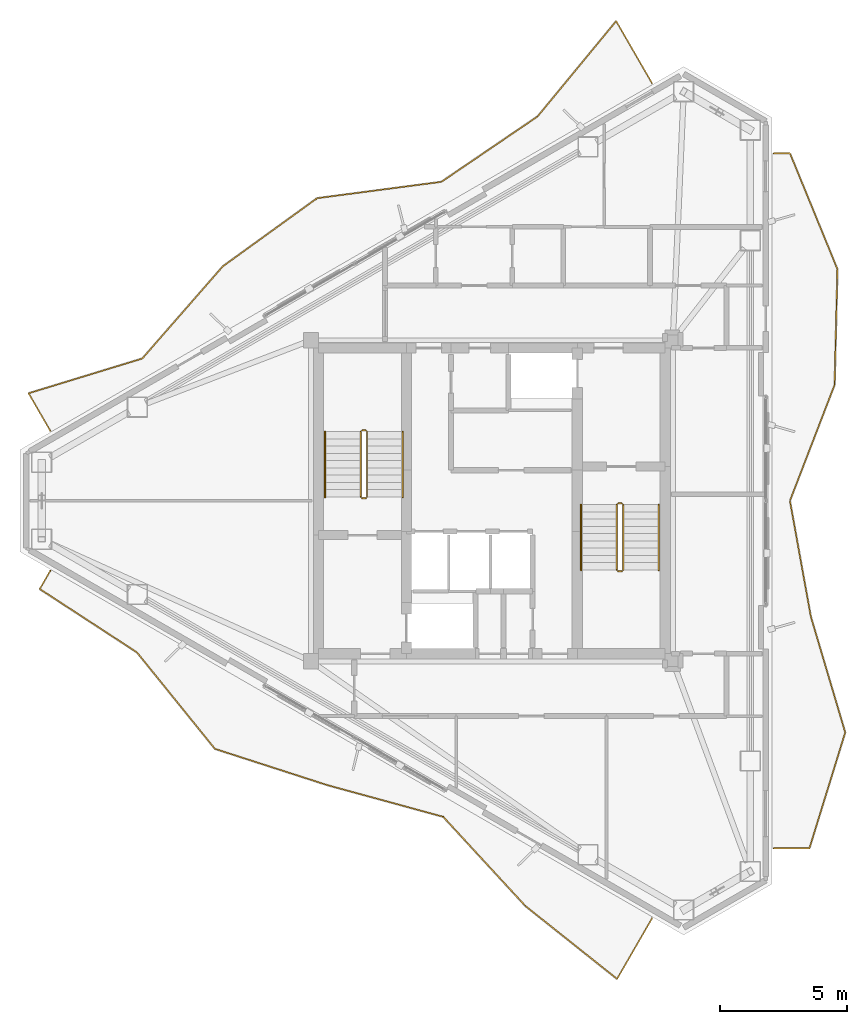
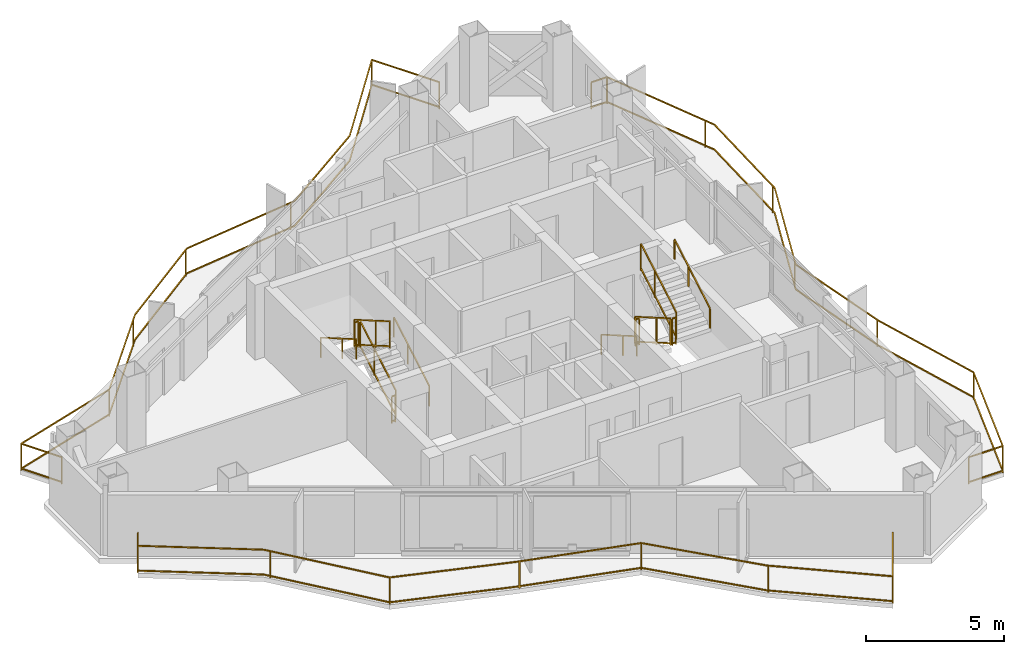
# One storey, part 18 of 18: 15 railings.
"""IFC4 building model written with IfcOpenShell, lengths in metres."""

from ifc_helpers import new_model, si_unit, direction, frame, origin, origin_2d, place, context, subcontext, project, spatial, rectangle, extrude, material, type_object, element, save


model = new_model("IFC4")

# Units and contexts
model_context = context("Model", 3, precision=1e-05, world=origin(), true_north=direction((0.0, 1.0)))
body_context = subcontext(model_context, "Body", "Model", "MODEL_VIEW")
ifc_project = project(units=[si_unit("LENGTHUNIT", "METRE"), si_unit("AREAUNIT", "SQUARE_METRE"), si_unit("VOLUMEUNIT", "CUBIC_METRE"), si_unit("PLANEANGLEUNIT", "RADIAN"), si_unit("MASSUNIT", "GRAM", prefix="KILO")], contexts=[model_context])

# Site, building, storey
site_placement = place(None, origin())
site = spatial("IfcSite", under=ifc_project, at=site_placement, CompositionType="ELEMENT")
building_placement = place(site_placement, origin())
building = spatial("IfcBuilding", under=site, at=building_placement, Name="Mersakhor Tower and Convention Hall", CompositionType="ELEMENT")
storey_placement = place(building_placement, frame((0.0, 0.0, 243.0)))
storey = spatial("IfcBuildingStorey", under=building, at=storey_placement, Name="L68", CompositionType="ELEMENT", Elevation=243.0)

# Railings
ifc_material_1 = material(Name="Powder-coated galvanised steel and laminated glass balustrade", Category="steel")
railing_type_1 = type_object("IfcRailingType", Name="RL-BAL-1200", PredefinedType="BALUSTRADE", material=ifc_material_1)
railing_1_placement = place(storey_placement, frame((35.287841796875, 43.13134765625, 0.0)))
element("IfcRailing", 1, at=railing_1_placement, inside=storey, type_object=railing_type_1, Name="L68 Sinusoidal Balcony Balustrade F1", PredefinedType="BALUSTRADE", context=body_context, shape_type="SweptSolid", body=[
    extrude(rectangle(XDim=0.048095703125, YDim=0.048095703125, at=origin_2d()), frame((0.0, 0.0, 1.17578125), z_axis=(-0.500049687543, 0.865996714767, 0.0), x_axis=(-0.865996714767, -0.500049687543, 0.0)), (0.0, 0.0, 1.0), 2.820068359375),
    extrude(rectangle(XDim=0.048095703125, YDim=0.048095703125, at=origin_2d()), frame((0.0, 0.0, 0.080078125), z_axis=(-0.500049687543, 0.865996714767, 0.0), x_axis=(-0.865996714767, -0.500049687543, 0.0)), (0.0, 0.0, 1.0), 2.820068359375),
    extrude(rectangle(XDim=0.048095703125, YDim=0.048095703125, at=origin_2d()), frame((-1.41015625, 2.442138671875, 1.17578125), z_axis=(-0.635973496981, -0.771710898678, 0.0), x_axis=(0.771710898678, -0.635973496981, 0.0)), (0.0, 0.0, 1.0), 4.852783203125),
    extrude(rectangle(XDim=0.048095703125, YDim=0.048095703125, at=origin_2d()), frame((-1.41015625, 2.442138671875, 0.080078125), z_axis=(-0.635973496981, -0.771710898678, 0.0), x_axis=(0.771710898678, -0.635973496981, 0.0)), (0.0, 0.0, 1.0), 4.852783203125),
    extrude(rectangle(XDim=0.048095703125, YDim=0.048095703125, at=origin_2d()), frame((-4.496337890625, -1.302734375, 1.17578125), z_axis=(-0.827039072438, -0.562144441101, 0.0), x_axis=(0.562144441101, -0.827039072438, 0.0)), (0.0, 0.0, 1.0), 4.5576171875),
    extrude(rectangle(XDim=0.048095703125, YDim=0.048095703125, at=origin_2d()), frame((-4.496337890625, -1.302734375, 0.080078125), z_axis=(-0.827039072438, -0.562144441101, 0.0), x_axis=(0.562144441101, -0.827039072438, 0.0)), (0.0, 0.0, 1.0), 4.5576171875),
    extrude(rectangle(XDim=0.048095703125, YDim=0.048095703125, at=origin_2d()), frame((-8.265625, -3.86474609375, 1.17578125), z_axis=(-0.991447538325, -0.130505857147, 0.0), x_axis=(0.130505857147, -0.991447538325, 0.0)), (0.0, 0.0, 1.0), 4.919921875),
    extrude(rectangle(XDim=0.048095703125, YDim=0.048095703125, at=origin_2d()), frame((-8.265625, -3.86474609375, 0.080078125), z_axis=(-0.991447538325, -0.130505857147, 0.0), x_axis=(0.130505857147, -0.991447538325, 0.0)), (0.0, 0.0, 1.0), 4.919921875),
    extrude(rectangle(XDim=0.048095703125, YDim=0.048095703125, at=origin_2d()), frame((-13.1435546875, -4.5068359375, 1.17578125), z_axis=(-0.810511528913, -0.5857226831, 0.0), x_axis=(0.5857226831, -0.810511528913, 0.0)), (0.0, 0.0, 1.0), 4.569091796875),
    extrude(rectangle(XDim=0.048095703125, YDim=0.048095703125, at=origin_2d()), frame((-13.1435546875, -4.5068359375, 0.080078125), z_axis=(-0.810511528913, -0.5857226831, 0.0), x_axis=(0.5857226831, -0.810511528913, 0.0)), (0.0, 0.0, 1.0), 4.569091796875),
    extrude(rectangle(XDim=0.048095703125, YDim=0.048095703125, at=origin_2d()), frame((-16.846923828125, -7.18310546875, 1.17578125), z_axis=(-0.657903470981, -0.753102265878, 0.0), x_axis=(0.753102265878, -0.657903470981, 0.0)), (0.0, 0.0, 1.0), 4.803466796875),
    extrude(rectangle(XDim=0.048095703125, YDim=0.048095703125, at=origin_2d()), frame((-16.846923828125, -7.18310546875, 0.080078125), z_axis=(-0.657903470981, -0.753102265878, 0.0), x_axis=(0.753102265878, -0.657903470981, 0.0)), (0.0, 0.0, 1.0), 4.803466796875),
    extrude(rectangle(XDim=0.048095703125, YDim=0.048095703125, at=origin_2d()), frame((-20.007080078125, -10.800537109375, 1.17578125), z_axis=(-0.956347508351, -0.29223183138, 0.0), x_axis=(0.29223183138, -0.956347508351, 0.0)), (0.0, 0.0, 1.0), 4.6650390625),
    extrude(rectangle(XDim=0.048095703125, YDim=0.048095703125, at=origin_2d()), frame((-20.007080078125, -10.800537109375, 0.080078125), z_axis=(-0.956347508351, -0.29223183138, 0.0), x_axis=(0.29223183138, -0.956347508351, 0.0)), (0.0, 0.0, 1.0), 4.6650390625),
    extrude(rectangle(XDim=0.048095703125, YDim=0.048095703125, at=origin_2d()), frame((-24.468505859375, -12.163818359375, 1.17578125), z_axis=(0.500062241894, -0.865989465428, 0.0), x_axis=(0.865989465428, 0.500062241894, 0.0)), (0.0, 0.0, 1.0), 1.699951171875),
    extrude(rectangle(XDim=0.048095703125, YDim=0.048095703125, at=origin_2d()), frame((-24.468505859375, -12.163818359375, 0.080078125), z_axis=(0.500062241894, -0.865989465428, 0.0), x_axis=(0.865989465428, 0.500062241894, 0.0)), (0.0, 0.0, 1.0), 1.699951171875),
    extrude(rectangle(XDim=0.0419921875, YDim=0.0419921875, at=origin_2d()), origin(), (0.0, 0.0, 1.0), 1.15185546875),
    extrude(rectangle(XDim=0.0419921875, YDim=0.0419921875, at=origin_2d()), frame((-1.41015625, 2.442138671875, 0.0)), (0.0, 0.0, 1.0), 1.15185546875),
    extrude(rectangle(XDim=0.0419921875, YDim=0.0419921875, at=origin_2d()), frame((-8.453857421875, -3.889404296875, 0.0)), (0.0, 0.0, 1.0), 1.15185546875),
    extrude(rectangle(XDim=0.0419921875, YDim=0.0419921875, at=origin_2d()), frame((-13.2001953125, -4.547607421875, 0.0)), (0.0, 0.0, 1.0), 1.15185546875),
    extrude(rectangle(XDim=0.0419921875, YDim=0.0419921875, at=origin_2d()), frame((-17.044677734375, -7.409423828125, 0.0)), (0.0, 0.0, 1.0), 1.15185546875),
    extrude(rectangle(XDim=0.0419921875, YDim=0.0419921875, at=origin_2d()), frame((-20.007080078125, -10.800537109375, 0.0)), (0.0, 0.0, 1.0), 1.15185546875),
    extrude(rectangle(XDim=0.0419921875, YDim=0.0419921875, at=origin_2d()), frame((-24.468505859375, -12.163818359375, 0.0)), (0.0, 0.0, 1.0), 1.15185546875),
    extrude(rectangle(XDim=0.0419921875, YDim=0.0419921875, at=origin_2d()), frame((-23.618408203125, -13.635986328125, 0.0)), (0.0, 0.0, 1.0), 1.15185546875),
])
railing_2_placement = place(storey_placement, frame((40.042724609375, 13.114013671875, 0.0)))
element("IfcRailing", 2, at=railing_2_placement, inside=storey, type_object=railing_type_1, Name="L68 Sinusoidal Balcony Balustrade F2", PredefinedType="BALUSTRADE", context=body_context, shape_type="SweptSolid", body=[
    extrude(rectangle(XDim=0.048095703125, YDim=0.048095703125, at=origin_2d()), frame((0.0, 0.0, 1.17578125), z_axis=(1.0, 0.0, 0.0), x_axis=(0.0, 1.0, 0.0)), (0.0, 0.0, 1.0), 1.4150390625),
    extrude(rectangle(XDim=0.048095703125, YDim=0.048095703125, at=origin_2d()), frame((0.0, 0.0, 0.080078125), z_axis=(1.0, 0.0, 0.0), x_axis=(0.0, 1.0, 0.0)), (0.0, 0.0, 1.0), 1.4150390625),
    extrude(rectangle(XDim=0.048095703125, YDim=0.048095703125, at=origin_2d()), frame((1.4150390625, 0.0, 1.17578125), z_axis=(0.295336931613, 0.955393163481, 0.0), x_axis=(-0.955393163481, 0.295336931613, 0.0)), (0.0, 0.0, 1.0), 4.75732421875),
    extrude(rectangle(XDim=0.048095703125, YDim=0.048095703125, at=origin_2d()), frame((1.4150390625, 0.0, 0.080078125), z_axis=(0.295336931613, 0.955393163481, 0.0), x_axis=(-0.955393163481, 0.295336931613, 0.0)), (0.0, 0.0, 1.0), 4.75732421875),
    extrude(rectangle(XDim=0.048095703125, YDim=0.048095703125, at=origin_2d()), frame((2.820068359375, 4.545166015625, 1.17578125), z_axis=(-0.284540615869, 0.958663985931, 0.0), x_axis=(-0.958663985931, -0.284540615869, 0.0)), (0.0, 0.0, 1.0), 4.741455078125),
    extrude(rectangle(XDim=0.048095703125, YDim=0.048095703125, at=origin_2d()), frame((2.820068359375, 4.545166015625, 0.080078125), z_axis=(-0.284540615869, 0.958663985931, 0.0), x_axis=(-0.958663985931, -0.284540615869, 0.0)), (0.0, 0.0, 1.0), 4.741455078125),
    extrude(rectangle(XDim=0.048095703125, YDim=0.048095703125, at=origin_2d()), frame((1.470947265625, 9.090576171875, 1.17578125), z_axis=(-0.177703858706, 0.984084009931, 0.0), x_axis=(-0.984084009931, -0.177703858706, 0.0)), (0.0, 0.0, 1.0), 4.618896484375),
    extrude(rectangle(XDim=0.048095703125, YDim=0.048095703125, at=origin_2d()), frame((1.470947265625, 9.090576171875, 0.080078125), z_axis=(-0.177703858706, 0.984084009931, 0.0), x_axis=(-0.984084009931, -0.177703858706, 0.0)), (0.0, 0.0, 1.0), 4.618896484375),
    extrude(rectangle(XDim=0.048095703125, YDim=0.048095703125, at=origin_2d()), frame((0.650146484375, 13.635986328125, 1.17578125), z_axis=(0.359600314297, 0.933106432277, 0.0), x_axis=(-0.933106432277, 0.359600314297, 0.0)), (0.0, 0.0, 1.0), 4.871337890625),
    extrude(rectangle(XDim=0.048095703125, YDim=0.048095703125, at=origin_2d()), frame((0.650146484375, 13.635986328125, 0.080078125), z_axis=(0.359600314297, 0.933106432277, 0.0), x_axis=(-0.933106432277, 0.359600314297, 0.0)), (0.0, 0.0, 1.0), 4.871337890625),
    extrude(rectangle(XDim=0.048095703125, YDim=0.048095703125, at=origin_2d()), frame((2.40185546875, 18.181396484375, 1.17578125), z_axis=(0.02464607229, 0.999696239425, 0.0), x_axis=(-0.999696239425, 0.02464607229, 0.0)), (0.0, 0.0, 1.0), 4.546875),
    extrude(rectangle(XDim=0.048095703125, YDim=0.048095703125, at=origin_2d()), frame((2.40185546875, 18.181396484375, 0.080078125), z_axis=(0.02464607229, 0.999696239425, 0.0), x_axis=(-0.999696239425, 0.02464607229, 0.0)), (0.0, 0.0, 1.0), 4.546875),
    extrude(rectangle(XDim=0.048095703125, YDim=0.048095703125, at=origin_2d()), frame((2.513916015625, 22.726806640625, 1.17578125), z_axis=(-0.379056669193, 0.925373460577, 0.0), x_axis=(-0.925373460577, -0.379056669193, 0.0)), (0.0, 0.0, 1.0), 4.91162109375),
    extrude(rectangle(XDim=0.048095703125, YDim=0.048095703125, at=origin_2d()), frame((2.513916015625, 22.726806640625, 0.080078125), z_axis=(-0.379056669193, 0.925373460577, 0.0), x_axis=(-0.925373460577, -0.379056669193, 0.0)), (0.0, 0.0, 1.0), 4.91162109375),
    extrude(rectangle(XDim=0.048095703125, YDim=0.048095703125, at=origin_2d()), frame((0.652099609375, 27.27197265625, 1.17578125), z_axis=(-1.0, 0.0, 0.0), x_axis=(0.0, -1.0, 0.0)), (0.0, 0.0, 1.0), 0.652099609375),
    extrude(rectangle(XDim=0.048095703125, YDim=0.048095703125, at=origin_2d()), frame((0.652099609375, 27.27197265625, 0.080078125), z_axis=(-1.0, 0.0, 0.0), x_axis=(0.0, -1.0, 0.0)), (0.0, 0.0, 1.0), 0.652099609375),
    extrude(rectangle(XDim=0.0419921875, YDim=0.0419921875, at=origin_2d()), origin(), (0.0, 0.0, 1.0), 1.15185546875),
    extrude(rectangle(XDim=0.0419921875, YDim=0.0419921875, at=origin_2d()), frame((1.4150390625, 0.0, 0.0)), (0.0, 0.0, 1.0), 1.15185546875),
    extrude(rectangle(XDim=0.0419921875, YDim=0.0419921875, at=origin_2d()), frame((2.820068359375, 4.545166015625, 0.0)), (0.0, 0.0, 1.0), 1.15185546875),
    extrude(rectangle(XDim=0.0419921875, YDim=0.0419921875, at=origin_2d()), frame((1.46044921875, 9.148193359375, 0.0)), (0.0, 0.0, 1.0), 1.15185546875),
    extrude(rectangle(XDim=0.0419921875, YDim=0.0419921875, at=origin_2d()), frame((0.736328125, 13.859619140625, 0.0)), (0.0, 0.0, 1.0), 1.15185546875),
    extrude(rectangle(XDim=0.0419921875, YDim=0.0419921875, at=origin_2d()), frame((2.406005859375, 18.349853515625, 0.0)), (0.0, 0.0, 1.0), 1.15185546875),
    extrude(rectangle(XDim=0.0419921875, YDim=0.0419921875, at=origin_2d()), frame((2.35400390625, 23.116943359375, 0.0)), (0.0, 0.0, 1.0), 1.15185546875),
    extrude(rectangle(XDim=0.0419921875, YDim=0.0419921875, at=origin_2d()), frame((0.652099609375, 27.27197265625, 0.0)), (0.0, 0.0, 1.0), 1.15185546875),
    extrude(rectangle(XDim=0.0419921875, YDim=0.0419921875, at=origin_2d()), frame((0.0, 27.27197265625, 0.0)), (0.0, 0.0, 1.0), 1.15185546875),
])
railing_3_placement = place(storey_placement, frame((11.66943359375, 24.004638671875, 0.0)))
element("IfcRailing", 3, at=railing_3_placement, inside=storey, type_object=railing_type_1, Name="L68 Sinusoidal Balcony Balustrade F3", PredefinedType="BALUSTRADE", context=body_context, shape_type="SweptSolid", body=[
    extrude(rectangle(XDim=0.048095703125, YDim=0.048095703125, at=origin_2d()), frame((0.0, 0.0, 1.17578125), z_axis=(-0.500090023092, -0.865973422689, 0.0), x_axis=(0.865973422689, -0.500090023092, 0.0)), (0.0, 0.0, 1.0), 0.823974609375),
    extrude(rectangle(XDim=0.048095703125, YDim=0.048095703125, at=origin_2d()), frame((0.0, 0.0, 0.080078125), z_axis=(-0.500090023092, -0.865973422689, 0.0), x_axis=(0.865973422689, -0.500090023092, 0.0)), (0.0, 0.0, 1.0), 0.823974609375),
    extrude(rectangle(XDim=0.048095703125, YDim=0.048095703125, at=origin_2d()), frame((-0.412109375, -0.713623046875, 1.17578125), z_axis=(0.837691677084, -0.546143437336, 0.0), x_axis=(0.546143437336, 0.837691677084, 0.0)), (0.0, 0.0, 1.0), 4.552001953125),
    extrude(rectangle(XDim=0.048095703125, YDim=0.048095703125, at=origin_2d()), frame((-0.412109375, -0.713623046875, 0.080078125), z_axis=(0.837691677084, -0.546143437336, 0.0), x_axis=(0.546143437336, 0.837691677084, 0.0)), (0.0, 0.0, 1.0), 4.552001953125),
    extrude(rectangle(XDim=0.048095703125, YDim=0.048095703125, at=origin_2d()), frame((3.401123046875, -3.19970703125, 1.17578125), z_axis=(0.628599601502, -0.777729092289, 0.0), x_axis=(0.777729092289, 0.628599601502, 0.0)), (0.0, 0.0, 1.0), 4.870361328125),
    extrude(rectangle(XDim=0.048095703125, YDim=0.048095703125, at=origin_2d()), frame((3.401123046875, -3.19970703125, 0.080078125), z_axis=(0.628599601502, -0.777729092289, 0.0), x_axis=(0.777729092289, 0.628599601502, 0.0)), (0.0, 0.0, 1.0), 4.870361328125),
    extrude(rectangle(XDim=0.048095703125, YDim=0.048095703125, at=origin_2d()), frame((6.462646484375, -6.987548828125, 1.17578125), z_axis=(0.951730887155, -0.306933736229, 0.0), x_axis=(0.306933736229, 0.951730887155, 0.0)), (0.0, 0.0, 1.0), 4.649169921875),
    extrude(rectangle(XDim=0.048095703125, YDim=0.048095703125, at=origin_2d()), frame((6.462646484375, -6.987548828125, 0.080078125), z_axis=(0.951730887155, -0.306933736229, 0.0), x_axis=(0.306933736229, 0.951730887155, 0.0)), (0.0, 0.0, 1.0), 4.649169921875),
    extrude(rectangle(XDim=0.048095703125, YDim=0.048095703125, at=origin_2d()), frame((10.887451171875, -8.41455078125, 1.17578125), z_axis=(0.964618612575, -0.263649259954, 0.0), x_axis=(0.263649259954, 0.964618612575, 0.0)), (0.0, 0.0, 1.0), 4.699462890625),
    extrude(rectangle(XDim=0.048095703125, YDim=0.048095703125, at=origin_2d()), frame((10.887451171875, -8.41455078125, 0.080078125), z_axis=(0.964618612575, -0.263649259954, 0.0), x_axis=(0.263649259954, 0.964618612575, 0.0)), (0.0, 0.0, 1.0), 4.699462890625),
    extrude(rectangle(XDim=0.048095703125, YDim=0.048095703125, at=origin_2d()), frame((15.420654296875, -9.653564453125, 1.17578125), z_axis=(0.677730486129, -0.7353104026, 0.0), x_axis=(0.7353104026, 0.677730486129, 0.0)), (0.0, 0.0, 1.0), 4.761474609375),
    extrude(rectangle(XDim=0.048095703125, YDim=0.048095703125, at=origin_2d()), frame((15.420654296875, -9.653564453125, 0.080078125), z_axis=(0.677730486129, -0.7353104026, 0.0), x_axis=(0.7353104026, 0.677730486129, 0.0)), (0.0, 0.0, 1.0), 4.761474609375),
    extrude(rectangle(XDim=0.048095703125, YDim=0.048095703125, at=origin_2d()), frame((18.647705078125, -13.15478515625, 1.17578125), z_axis=(0.782617523744, -0.622502860659, 0.0), x_axis=(0.622502860659, 0.782617523744, 0.0)), (0.0, 0.0, 1.0), 4.595703125),
    extrude(rectangle(XDim=0.048095703125, YDim=0.048095703125, at=origin_2d()), frame((18.647705078125, -13.15478515625, 0.080078125), z_axis=(0.782617523744, -0.622502860659, 0.0), x_axis=(0.622502860659, 0.782617523744, 0.0)), (0.0, 0.0, 1.0), 4.595703125),
    extrude(rectangle(XDim=0.048095703125, YDim=0.048095703125, at=origin_2d()), frame((22.244384765625, -16.015625, 1.17578125), z_axis=(0.500037777312, 0.866003591944, 0.0), x_axis=(-0.866003591944, 0.500037777312, 0.0)), (0.0, 0.0, 1.0), 2.747802734375),
    extrude(rectangle(XDim=0.048095703125, YDim=0.048095703125, at=origin_2d()), frame((22.244384765625, -16.015625, 0.080078125), z_axis=(0.500037777312, 0.866003591944, 0.0), x_axis=(-0.866003591944, 0.500037777312, 0.0)), (0.0, 0.0, 1.0), 2.747802734375),
    extrude(rectangle(XDim=0.0419921875, YDim=0.0419921875, at=origin_2d()), origin(), (0.0, 0.0, 1.0), 1.15185546875),
    extrude(rectangle(XDim=0.0419921875, YDim=0.0419921875, at=origin_2d()), frame((-0.412109375, -0.713623046875, 0.0)), (0.0, 0.0, 1.0), 1.15185546875),
    extrude(rectangle(XDim=0.0419921875, YDim=0.0419921875, at=origin_2d()), frame((3.556884765625, -3.392578125, 0.0)), (0.0, 0.0, 1.0), 1.15185546875),
    extrude(rectangle(XDim=0.0419921875, YDim=0.0419921875, at=origin_2d()), frame((6.462646484375, -6.987548828125, 0.0)), (0.0, 0.0, 1.0), 1.15185546875),
    extrude(rectangle(XDim=0.0419921875, YDim=0.0419921875, at=origin_2d()), frame((11.032958984375, -8.454345703125, 0.0)), (0.0, 0.0, 1.0), 1.15185546875),
    extrude(rectangle(XDim=0.0419921875, YDim=0.0419921875, at=origin_2d()), frame((15.420654296875, -9.653564453125, 0.0)), (0.0, 0.0, 1.0), 1.15185546875),
    extrude(rectangle(XDim=0.0419921875, YDim=0.0419921875, at=origin_2d()), frame((18.677734375, -13.1787109375, 0.0)), (0.0, 0.0, 1.0), 1.15185546875),
    extrude(rectangle(XDim=0.0419921875, YDim=0.0419921875, at=origin_2d()), frame((22.244384765625, -16.015625, 0.0)), (0.0, 0.0, 1.0), 1.15185546875),
    extrude(rectangle(XDim=0.0419921875, YDim=0.0419921875, at=origin_2d()), frame((23.618408203125, -13.635986328125, 0.0)), (0.0, 0.0, 1.0), 1.15185546875),
])
ifc_material_2 = material(Name="Brushed stainless steel handrail", Category="steel")
railing_type_2 = type_object("IfcRailingType", Name="RL-HR-900", PredefinedType="HANDRAIL", material=ifc_material_2)
railing_4_placement = place(storey_placement, frame((25.5, 26.89990234375, 0.1650390625)))
element("IfcRailing", 4, at=railing_4_placement, inside=storey, type_object=railing_type_2, Name="L68 ST-1 stair handrail 1", PredefinedType="HANDRAIL", context=body_context, shape_type="SweptSolid", body=[
    extrude(rectangle(XDim=0.048095703125, YDim=0.048095703125, at=origin_2d()), frame((0.0, 0.0, 0.8759765625), z_axis=(0.0, 0.865461999751, 0.500974577186), x_axis=(-1.0, 0.0, 0.0)), (0.0, 0.0, 1.0), 2.9638671875),
    extrude(rectangle(XDim=0.0419921875, YDim=0.0419921875, at=origin_2d()), origin(), (0.0, 0.0, 1.0), 0.851806640625),
    extrude(rectangle(XDim=0.0419921875, YDim=0.0419921875, at=origin_2d()), frame((0.0, 1.557861328125, 0.90185546875)), (0.0, 0.0, 1.0), 0.851806640625),
    extrude(rectangle(XDim=0.0419921875, YDim=0.0419921875, at=origin_2d()), frame((0.0, 2.565185546875, 1.48486328125)), (0.0, 0.0, 1.0), 0.851806640625),
])
railing_5_placement = place(storey_placement, frame((22.449951171875, 29.465087890625, 1.81494140625)))
element("IfcRailing", 5, at=railing_5_placement, inside=storey, type_object=railing_type_2, Name="L68 ST-1 stair handrail 2", PredefinedType="HANDRAIL", context=body_context, shape_type="SweptSolid", body=[
    extrude(rectangle(XDim=0.048095703125, YDim=0.048095703125, at=origin_2d()), frame((0.0, 0.0, 0.8759765625), z_axis=(0.0, -0.865426285481, 0.501036270542), x_axis=(1.0, 0.0, 0.0)), (0.0, 0.0, 1.0), 2.964111328125),
    extrude(rectangle(XDim=0.0419921875, YDim=0.0419921875, at=origin_2d()), origin(), (0.0, 0.0, 1.0), 0.851806640625),
    extrude(rectangle(XDim=0.0419921875, YDim=0.0419921875, at=origin_2d()), frame((0.0, -1.557861328125, 0.90185546875)), (0.0, 0.0, 1.0), 0.851806640625),
    extrude(rectangle(XDim=0.0419921875, YDim=0.0419921875, at=origin_2d()), frame((0.0, -2.565185546875, 1.485107421875)), (0.0, 0.0, 1.0), 0.851806640625),
])
railing_6_placement = place(storey_placement, frame((32.5, 26.60009765625, 0.1650390625)))
element("IfcRailing", 6, at=railing_6_placement, inside=storey, type_object=railing_type_2, Name="L68 ST-2 stair handrail 1", PredefinedType="HANDRAIL", context=body_context, shape_type="SweptSolid", body=[
    extrude(rectangle(XDim=0.048095703125, YDim=0.048095703125, at=origin_2d()), frame((0.0, 0.0, 0.8759765625), z_axis=(0.0, -0.865461999751, 0.500974577186), x_axis=(1.0, 0.0, 0.0)), (0.0, 0.0, 1.0), 2.9638671875),
    extrude(rectangle(XDim=0.0419921875, YDim=0.0419921875, at=origin_2d()), origin(), (0.0, 0.0, 1.0), 0.851806640625),
    extrude(rectangle(XDim=0.0419921875, YDim=0.0419921875, at=origin_2d()), frame((0.0, -1.557861328125, 0.90185546875)), (0.0, 0.0, 1.0), 0.851806640625),
    extrude(rectangle(XDim=0.0419921875, YDim=0.0419921875, at=origin_2d()), frame((0.0, -2.565185546875, 1.48486328125)), (0.0, 0.0, 1.0), 0.851806640625),
])
railing_7_placement = place(storey_placement, frame((35.550048828125, 24.034912109375, 1.81494140625)))
element("IfcRailing", 7, at=railing_7_placement, inside=storey, type_object=railing_type_2, Name="L68 ST-2 stair handrail 2", PredefinedType="HANDRAIL", context=body_context, shape_type="SweptSolid", body=[
    extrude(rectangle(XDim=0.048095703125, YDim=0.048095703125, at=origin_2d()), frame((0.0, 0.0, 0.8759765625), z_axis=(0.0, 0.865426285481, 0.501036270542), x_axis=(-1.0, 0.0, 0.0)), (0.0, 0.0, 1.0), 2.964111328125),
    extrude(rectangle(XDim=0.0419921875, YDim=0.0419921875, at=origin_2d()), origin(), (0.0, 0.0, 1.0), 0.851806640625),
    extrude(rectangle(XDim=0.0419921875, YDim=0.0419921875, at=origin_2d()), frame((0.0, 1.557861328125, 0.90185546875)), (0.0, 0.0, 1.0), 0.851806640625),
    extrude(rectangle(XDim=0.0419921875, YDim=0.0419921875, at=origin_2d()), frame((0.0, 2.565185546875, 1.485107421875)), (0.0, 0.0, 1.0), 0.851806640625),
])
ifc_material_3 = material(Name="Painted steel stair balustrade S355", Category="steel")
railing_type_3 = type_object("IfcRailingType", Name="RL-STG-1200", PredefinedType="BALUSTRADE", material=ifc_material_3)
railing_8_placement = place(storey_placement, frame((24.10009765625, 26.89990234375, 0.1650390625)))
element("IfcRailing", 8, at=railing_8_placement, inside=storey, type_object=railing_type_3, Name="L68 ST-1 stair guard 1", PredefinedType="BALUSTRADE", context=body_context, shape_type="SweptSolid", body=[
    extrude(rectangle(XDim=0.048095703125, YDim=0.048095703125, at=origin_2d()), frame((0.0, 0.0, 1.17578125), z_axis=(0.0, 0.865461999751, 0.500974577186), x_axis=(-1.0, 0.0, 0.0)), (0.0, 0.0, 1.0), 2.9638671875),
    extrude(rectangle(XDim=0.048095703125, YDim=0.048095703125, at=origin_2d()), frame((0.0, 0.0, 0.080078125), z_axis=(0.0, 0.865461999751, 0.500974577186), x_axis=(-1.0, 0.0, 0.0)), (0.0, 0.0, 1.0), 2.9638671875),
    extrude(rectangle(XDim=0.0419921875, YDim=0.0419921875, at=origin_2d()), origin(), (0.0, 0.0, 1.0), 1.15185546875),
    extrude(rectangle(XDim=0.0419921875, YDim=0.0419921875, at=origin_2d()), frame((0.0, 1.557861328125, 0.90185546875)), (0.0, 0.0, 1.0), 1.15185546875),
    extrude(rectangle(XDim=0.0419921875, YDim=0.0419921875, at=origin_2d()), frame((0.0, 2.565185546875, 1.48486328125)), (0.0, 0.0, 1.0), 1.15185546875),
])
railing_9_placement = place(storey_placement, frame((24.050048828125, 29.514892578125, 1.64990234375)))
element("IfcRailing", 9, at=railing_9_placement, inside=storey, type_object=railing_type_3, Name="L68 ST-1 stair guard 2", PredefinedType="BALUSTRADE", context=body_context, shape_type="SweptSolid", body=[
    extrude(rectangle(XDim=0.048095703125, YDim=0.048095703125, at=origin_2d()), frame((0.0, 0.0, 1.17578125), z_axis=(-1.0, 0.0, 0.0), x_axis=(0.0, -1.0, 0.0)), (0.0, 0.0, 1.0), 0.150146484375),
    extrude(rectangle(XDim=0.048095703125, YDim=0.048095703125, at=origin_2d()), frame((0.0, 0.0, 0.080078125), z_axis=(-1.0, 0.0, 0.0), x_axis=(0.0, -1.0, 0.0)), (0.0, 0.0, 1.0), 0.150146484375),
    extrude(rectangle(XDim=0.0419921875, YDim=0.0419921875, at=origin_2d()), origin(), (0.0, 0.0, 1.0), 1.15185546875),
    extrude(rectangle(XDim=0.0419921875, YDim=0.0419921875, at=origin_2d()), frame((-0.150146484375, 0.0, 0.0)), (0.0, 0.0, 1.0), 1.15185546875),
])
railing_10_placement = place(storey_placement, frame((23.85009765625, 29.465087890625, 1.81494140625)))
element("IfcRailing", 10, at=railing_10_placement, inside=storey, type_object=railing_type_3, Name="L68 ST-1 stair guard 3", PredefinedType="BALUSTRADE", context=body_context, shape_type="SweptSolid", body=[
    extrude(rectangle(XDim=0.048095703125, YDim=0.048095703125, at=origin_2d()), frame((0.0, 0.0, 1.17578125), z_axis=(0.0, -0.865426285481, 0.501036270542), x_axis=(1.0, 0.0, 0.0)), (0.0, 0.0, 1.0), 2.964111328125),
    extrude(rectangle(XDim=0.048095703125, YDim=0.048095703125, at=origin_2d()), frame((0.0, 0.0, 0.080078125), z_axis=(0.0, -0.865426285481, 0.501036270542), x_axis=(1.0, 0.0, 0.0)), (0.0, 0.0, 1.0), 2.964111328125),
    extrude(rectangle(XDim=0.0419921875, YDim=0.0419921875, at=origin_2d()), origin(), (0.0, 0.0, 1.0), 1.15185546875),
    extrude(rectangle(XDim=0.0419921875, YDim=0.0419921875, at=origin_2d()), frame((0.0, -1.557861328125, 0.90185546875)), (0.0, 0.0, 1.0), 1.15185546875),
    extrude(rectangle(XDim=0.0419921875, YDim=0.0419921875, at=origin_2d()), frame((0.0, -2.565185546875, 1.485107421875)), (0.0, 0.0, 1.0), 1.15185546875),
])
railing_11_placement = place(storey_placement, frame((24.050048828125, 26.85009765625, 0.0)))
element("IfcRailing", 11, at=railing_11_placement, inside=storey, type_object=railing_type_3, Name="L68 ST-1 stair guard 4", PredefinedType="BALUSTRADE", context=body_context, shape_type="SweptSolid", body=[
    extrude(rectangle(XDim=0.048095703125, YDim=0.048095703125, at=origin_2d()), frame((0.0, 0.0, 1.17578125), z_axis=(-1.0, 0.0, 0.0), x_axis=(0.0, -1.0, 0.0)), (0.0, 0.0, 1.0), 0.150146484375),
    extrude(rectangle(XDim=0.048095703125, YDim=0.048095703125, at=origin_2d()), frame((0.0, 0.0, 0.080078125), z_axis=(-1.0, 0.0, 0.0), x_axis=(0.0, -1.0, 0.0)), (0.0, 0.0, 1.0), 0.150146484375),
    extrude(rectangle(XDim=0.0419921875, YDim=0.0419921875, at=origin_2d()), origin(), (0.0, 0.0, 1.0), 1.15185546875),
    extrude(rectangle(XDim=0.0419921875, YDim=0.0419921875, at=origin_2d()), frame((-0.150146484375, 0.0, 0.0)), (0.0, 0.0, 1.0), 1.15185546875),
])
railing_12_placement = place(storey_placement, frame((33.89990234375, 26.60009765625, 0.1650390625)))
element("IfcRailing", 12, at=railing_12_placement, inside=storey, type_object=railing_type_3, Name="L68 ST-2 stair guard 1", PredefinedType="BALUSTRADE", context=body_context, shape_type="SweptSolid", body=[
    extrude(rectangle(XDim=0.048095703125, YDim=0.048095703125, at=origin_2d()), frame((0.0, 0.0, 1.17578125), z_axis=(0.0, -0.865461999751, 0.500974577186), x_axis=(1.0, 0.0, 0.0)), (0.0, 0.0, 1.0), 2.9638671875),
    extrude(rectangle(XDim=0.048095703125, YDim=0.048095703125, at=origin_2d()), frame((0.0, 0.0, 0.080078125), z_axis=(0.0, -0.865461999751, 0.500974577186), x_axis=(1.0, 0.0, 0.0)), (0.0, 0.0, 1.0), 2.9638671875),
    extrude(rectangle(XDim=0.0419921875, YDim=0.0419921875, at=origin_2d()), origin(), (0.0, 0.0, 1.0), 1.15185546875),
    extrude(rectangle(XDim=0.0419921875, YDim=0.0419921875, at=origin_2d()), frame((0.0, -1.557861328125, 0.90185546875)), (0.0, 0.0, 1.0), 1.15185546875),
    extrude(rectangle(XDim=0.0419921875, YDim=0.0419921875, at=origin_2d()), frame((0.0, -2.565185546875, 1.48486328125)), (0.0, 0.0, 1.0), 1.15185546875),
])
railing_13_placement = place(storey_placement, frame((33.949951171875, 23.985107421875, 1.64990234375)))
element("IfcRailing", 13, at=railing_13_placement, inside=storey, type_object=railing_type_3, Name="L68 ST-2 stair guard 2", PredefinedType="BALUSTRADE", context=body_context, shape_type="SweptSolid", body=[
    extrude(rectangle(XDim=0.048095703125, YDim=0.048095703125, at=origin_2d()), frame((0.0, 0.0, 1.17578125), z_axis=(1.0, 0.0, 0.0), x_axis=(0.0, 1.0, 0.0)), (0.0, 0.0, 1.0), 0.150146484375),
    extrude(rectangle(XDim=0.048095703125, YDim=0.048095703125, at=origin_2d()), frame((0.0, 0.0, 0.080078125), z_axis=(1.0, 0.0, 0.0), x_axis=(0.0, 1.0, 0.0)), (0.0, 0.0, 1.0), 0.150146484375),
    extrude(rectangle(XDim=0.0419921875, YDim=0.0419921875, at=origin_2d()), origin(), (0.0, 0.0, 1.0), 1.15185546875),
    extrude(rectangle(XDim=0.0419921875, YDim=0.0419921875, at=origin_2d()), frame((0.150146484375, 0.0, 0.0)), (0.0, 0.0, 1.0), 1.15185546875),
])
railing_14_placement = place(storey_placement, frame((34.14990234375, 24.034912109375, 1.81494140625)))
element("IfcRailing", 14, at=railing_14_placement, inside=storey, type_object=railing_type_3, Name="L68 ST-2 stair guard 3", PredefinedType="BALUSTRADE", context=body_context, shape_type="SweptSolid", body=[
    extrude(rectangle(XDim=0.048095703125, YDim=0.048095703125, at=origin_2d()), frame((0.0, 0.0, 1.17578125), z_axis=(0.0, 0.865426285481, 0.501036270542), x_axis=(-1.0, 0.0, 0.0)), (0.0, 0.0, 1.0), 2.964111328125),
    extrude(rectangle(XDim=0.048095703125, YDim=0.048095703125, at=origin_2d()), frame((0.0, 0.0, 0.080078125), z_axis=(0.0, 0.865426285481, 0.501036270542), x_axis=(-1.0, 0.0, 0.0)), (0.0, 0.0, 1.0), 2.964111328125),
    extrude(rectangle(XDim=0.0419921875, YDim=0.0419921875, at=origin_2d()), origin(), (0.0, 0.0, 1.0), 1.15185546875),
    extrude(rectangle(XDim=0.0419921875, YDim=0.0419921875, at=origin_2d()), frame((0.0, 1.557861328125, 0.90185546875)), (0.0, 0.0, 1.0), 1.15185546875),
    extrude(rectangle(XDim=0.0419921875, YDim=0.0419921875, at=origin_2d()), frame((0.0, 2.565185546875, 1.485107421875)), (0.0, 0.0, 1.0), 1.15185546875),
])
railing_15_placement = place(storey_placement, frame((33.949951171875, 26.64990234375, 0.0)))
element("IfcRailing", 15, at=railing_15_placement, inside=storey, type_object=railing_type_3, Name="L68 ST-2 stair guard 4", PredefinedType="BALUSTRADE", context=body_context, shape_type="SweptSolid", body=[
    extrude(rectangle(XDim=0.048095703125, YDim=0.048095703125, at=origin_2d()), frame((0.0, 0.0, 1.17578125), z_axis=(1.0, 0.0, 0.0), x_axis=(0.0, 1.0, 0.0)), (0.0, 0.0, 1.0), 0.150146484375),
    extrude(rectangle(XDim=0.048095703125, YDim=0.048095703125, at=origin_2d()), frame((0.0, 0.0, 0.080078125), z_axis=(1.0, 0.0, 0.0), x_axis=(0.0, 1.0, 0.0)), (0.0, 0.0, 1.0), 0.150146484375),
    extrude(rectangle(XDim=0.0419921875, YDim=0.0419921875, at=origin_2d()), origin(), (0.0, 0.0, 1.0), 1.15185546875),
    extrude(rectangle(XDim=0.0419921875, YDim=0.0419921875, at=origin_2d()), frame((0.150146484375, 0.0, 0.0)), (0.0, 0.0, 1.0), 1.15185546875),
])

save(model, "model.ifc")
